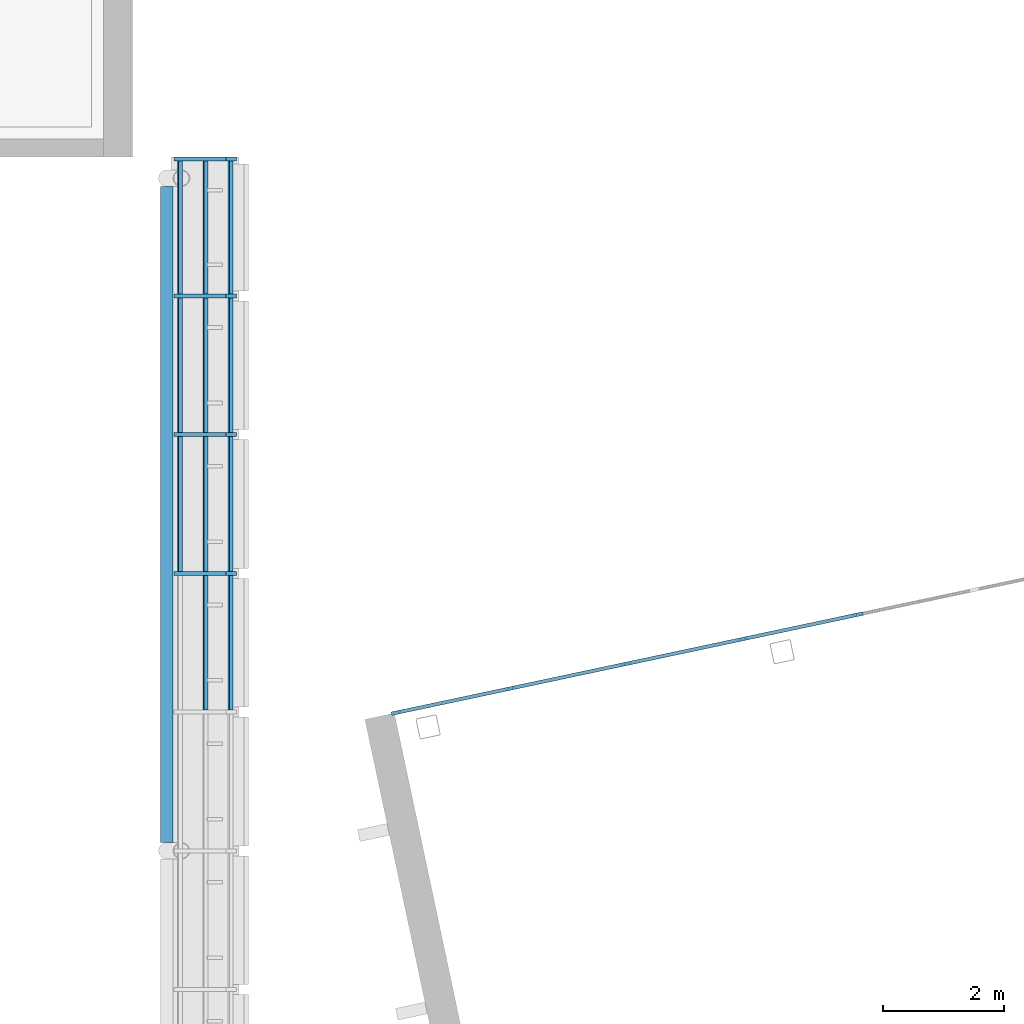
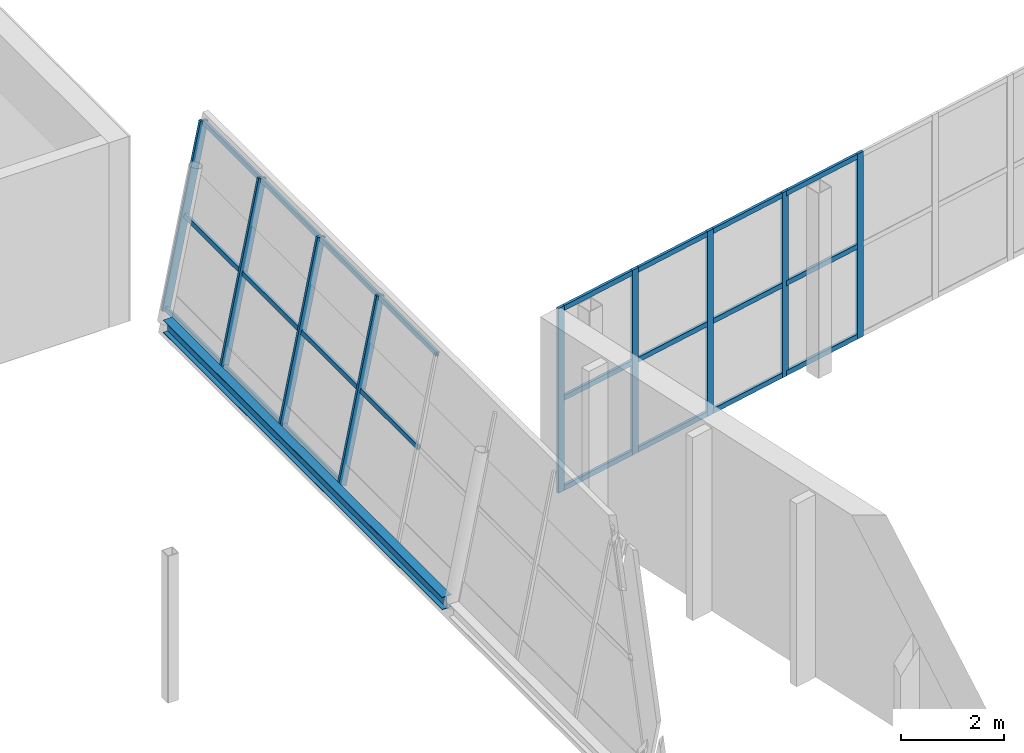
# One storey, part 32 of 95: 32 members, 1 beam, 2 elements without a shape of their own.
"""IFC4 building model written with IfcOpenShell, lengths in metres."""

from ifc_helpers import new_model, si_unit, direction, frame, origin, origin_2d, place, context, subcontext, project, spatial, rectangle, i_section, extrude, material, layer, layer_set, material_profile, profile_set, type_object, element, aggregate, save


model = new_model("IFC4")

# Units and contexts
model_context = context("Model", 3, precision=1e-05, world=origin(), true_north=direction((0.0, 1.0)))
body_context = subcontext(model_context, "Body", "Model", "MODEL_VIEW")
ifc_project = project(units=[si_unit("LENGTHUNIT", "METRE"), si_unit("AREAUNIT", "SQUARE_METRE"), si_unit("VOLUMEUNIT", "CUBIC_METRE"), si_unit("PLANEANGLEUNIT", "RADIAN"), si_unit("MASSUNIT", "GRAM", prefix="KILO")], contexts=[model_context])

# Site, building, storey
site_placement = place(None, origin())
site = spatial("IfcSite", under=ifc_project, at=site_placement, CompositionType="ELEMENT")
building_placement = place(site_placement, origin())
building = spatial("IfcBuilding", under=site, at=building_placement, Name="Windward Yard Aquatics Centre", CompositionType="ELEMENT")
storey_placement = place(building_placement, frame((0.0, 0.0, 9.39990234375)))
storey = spatial("IfcBuildingStorey", under=building, at=storey_placement, Name="L02", CompositionType="ELEMENT", Elevation=9.39990234375)

# Curtain wall, members
ifc_material_1 = material(Name="Aluminium and glass", Category="aluminium")
ifc_layer_1 = layer(ifc_material_1, 0.159912109375)
ifc_layer_set_1 = layer_set([ifc_layer_1], Name="D curtain wall 160")
curtain_wall_type_1 = type_object("IfcCurtainWallType", Name="D curtain wall 160", PredefinedType="NOTDEFINED", material=ifc_layer_set_1)
curtain_wall_1_placement = place(storey_placement, origin())
curtain_wall_1 = element("IfcCurtainWall", 1, at=curtain_wall_1_placement, inside=storey, type_object=curtain_wall_type_1, Name="North glazing L02", PredefinedType="NOTDEFINED")
ifc_material_2 = material(Name="Aluminium extrusion", Category="aluminium")
ifc_material_profile_1 = material_profile(ifc_material_2, rectangle(XDim=0.06005859375, YDim=0.159912109375, at=origin_2d()), Name="MULLION 60X160")
ifc_profile_set_1 = profile_set([ifc_material_profile_1], Name="Aluminium extrusion")
member_type_1 = type_object("IfcMemberType", Name="D curtain wall mullion 60X160", PredefinedType="MULLION", material=ifc_profile_set_1)
member_1_placement = place(storey_placement, frame((156.399169921875, 74.788330078125, 0.0), z_axis=(0.0, 0.0, 1.0), x_axis=(-0.207911718662, 0.978147594815, 0.0)))
member_1 = element("IfcMember", 2, at=member_1_placement, type_object=member_type_1, Name="DCW-L02 mullion 1", PredefinedType="MULLION", context=body_context, shape_type="SweptSolid", body=[
    extrude(rectangle(XDim=0.06005859375, YDim=0.159912109375, at=origin_2d()), origin(), (0.0, 0.0, 1.0), 4.400146484375),
])
member_2_placement = place(storey_placement, frame((158.292724609375, 75.19091796875, 0.0), z_axis=(0.0, 0.0, 1.0), x_axis=(-0.207911718662, 0.978147594815, 0.0)))
member_2 = element("IfcMember", 3, at=member_2_placement, type_object=member_type_1, Name="DCW-L02 mullion 2", PredefinedType="MULLION", context=body_context, shape_type="SweptSolid", body=[
    extrude(rectangle(XDim=0.06005859375, YDim=0.159912109375, at=origin_2d()), origin(), (0.0, 0.0, 1.0), 4.400146484375),
])
member_3_placement = place(storey_placement, frame((160.215576171875, 75.599609375, 0.0), z_axis=(0.0, 0.0, 1.0), x_axis=(-0.207911718662, 0.978147594815, 0.0)))
member_3 = element("IfcMember", 4, at=member_3_placement, type_object=member_type_1, Name="DCW-L02 mullion 3", PredefinedType="MULLION", context=body_context, shape_type="SweptSolid", body=[
    extrude(rectangle(XDim=0.06005859375, YDim=0.159912109375, at=origin_2d()), origin(), (0.0, 0.0, 1.0), 4.400146484375),
])
member_4_placement = place(storey_placement, frame((162.13818359375, 76.00830078125, 0.0), z_axis=(0.0, 0.0, 1.0), x_axis=(-0.207911718662, 0.978147594815, 0.0)))
member_4 = element("IfcMember", 5, at=member_4_placement, type_object=member_type_1, Name="DCW-L02 mullion 4", PredefinedType="MULLION", context=body_context, shape_type="SweptSolid", body=[
    extrude(rectangle(XDim=0.06005859375, YDim=0.159912109375, at=origin_2d()), origin(), (0.0, 0.0, 1.0), 4.400146484375),
])
member_5_placement = place(storey_placement, frame((164.06103515625, 76.4169921875, 0.0), z_axis=(0.0, 0.0, 1.0), x_axis=(-0.207911718662, 0.978147594815, 0.0)))
member_5 = element("IfcMember", 6, at=member_5_placement, type_object=member_type_1, Name="DCW-L02 mullion 5", PredefinedType="MULLION", context=body_context, shape_type="SweptSolid", body=[
    extrude(rectangle(XDim=0.06005859375, YDim=0.159912109375, at=origin_2d()), origin(), (0.0, 0.0, 1.0), 4.400146484375),
])
ifc_material_profile_2 = material_profile(ifc_material_2, rectangle(XDim=0.06005859375, YDim=0.1201171875, at=origin_2d()), Name="TRANSOM 60X120")
ifc_profile_set_2 = profile_set([ifc_material_profile_2], Name="Aluminium extrusion")
member_type_2 = type_object("IfcMemberType", Name="D curtain wall transom 60X120", PredefinedType="USERDEFINED", material=ifc_profile_set_2)
member_6_placement = place(storey_placement, frame((156.428466796875, 74.794677734375, 0.06005859375), z_axis=(0.97815719688, 0.207866539377, 0.0), x_axis=(-0.207866539377, 0.97815719688, 0.0)))
member_6 = element("IfcMember", 7, at=member_6_placement, type_object=member_type_2, Name="DCW-L02 transom 1.1", ObjectType="TRANSOM", PredefinedType="USERDEFINED", context=body_context, shape_type="SweptSolid", body=[
    extrude(rectangle(XDim=0.06005859375, YDim=0.1201171875, at=origin_2d()), origin(), (0.0, 0.0, 1.0), 1.875732421875),
])
member_7_placement = place(storey_placement, frame((156.428466796875, 74.794677734375, 2.2001953125), z_axis=(0.97815719688, 0.207866539377, 0.0), x_axis=(-0.207866539377, 0.97815719688, 0.0)))
member_7 = element("IfcMember", 8, at=member_7_placement, type_object=member_type_2, Name="DCW-L02 transom 1.2", ObjectType="TRANSOM", PredefinedType="USERDEFINED", context=body_context, shape_type="SweptSolid", body=[
    extrude(rectangle(XDim=0.06005859375, YDim=0.1201171875, at=origin_2d()), origin(), (0.0, 0.0, 1.0), 1.875732421875),
])
member_8_placement = place(storey_placement, frame((156.428466796875, 74.794677734375, 4.340087890625), z_axis=(0.97815719688, 0.207866539377, 0.0), x_axis=(-0.207866539377, 0.97815719688, 0.0)))
member_8 = element("IfcMember", 9, at=member_8_placement, type_object=member_type_2, Name="DCW-L02 transom 1.3", ObjectType="TRANSOM", PredefinedType="USERDEFINED", context=body_context, shape_type="SweptSolid", body=[
    extrude(rectangle(XDim=0.06005859375, YDim=0.1201171875, at=origin_2d()), origin(), (0.0, 0.0, 1.0), 1.875732421875),
])
member_9_placement = place(storey_placement, frame((158.322021484375, 75.197021484375, 0.06005859375), z_axis=(0.978144196583, 0.207927705443, 0.0), x_axis=(-0.207927705443, 0.978144196583, 0.0)))
member_9 = element("IfcMember", 10, at=member_9_placement, type_object=member_type_2, Name="DCW-L02 transom 2.1", ObjectType="TRANSOM", PredefinedType="USERDEFINED", context=body_context, shape_type="SweptSolid", body=[
    extrude(rectangle(XDim=0.06005859375, YDim=0.1201171875, at=origin_2d()), origin(), (0.0, 0.0, 1.0), 1.90576171875),
])
member_10_placement = place(storey_placement, frame((158.322021484375, 75.197021484375, 2.2001953125), z_axis=(0.978144196583, 0.207927705443, 0.0), x_axis=(-0.207927705443, 0.978144196583, 0.0)))
member_10 = element("IfcMember", 11, at=member_10_placement, type_object=member_type_2, Name="DCW-L02 transom 2.2", ObjectType="TRANSOM", PredefinedType="USERDEFINED", context=body_context, shape_type="SweptSolid", body=[
    extrude(rectangle(XDim=0.06005859375, YDim=0.1201171875, at=origin_2d()), origin(), (0.0, 0.0, 1.0), 1.90576171875),
])
member_11_placement = place(storey_placement, frame((158.322021484375, 75.197021484375, 4.340087890625), z_axis=(0.978144196583, 0.207927705443, 0.0), x_axis=(-0.207927705443, 0.978144196583, 0.0)))
member_11 = element("IfcMember", 12, at=member_11_placement, type_object=member_type_2, Name="DCW-L02 transom 2.3", ObjectType="TRANSOM", PredefinedType="USERDEFINED", context=body_context, shape_type="SweptSolid", body=[
    extrude(rectangle(XDim=0.06005859375, YDim=0.1201171875, at=origin_2d()), origin(), (0.0, 0.0, 1.0), 1.90576171875),
])
member_12_placement = place(storey_placement, frame((160.244873046875, 75.605712890625, 0.06005859375), z_axis=(0.978144196583, 0.207927705443, 0.0), x_axis=(-0.207927705443, 0.978144196583, 0.0)))
member_12 = element("IfcMember", 13, at=member_12_placement, type_object=member_type_2, Name="DCW-L02 transom 3.1", ObjectType="TRANSOM", PredefinedType="USERDEFINED", context=body_context, shape_type="SweptSolid", body=[
    extrude(rectangle(XDim=0.06005859375, YDim=0.1201171875, at=origin_2d()), origin(), (0.0, 0.0, 1.0), 1.90576171875),
])
member_13_placement = place(storey_placement, frame((160.244873046875, 75.605712890625, 2.2001953125), z_axis=(0.978144196583, 0.207927705443, 0.0), x_axis=(-0.207927705443, 0.978144196583, 0.0)))
member_13 = element("IfcMember", 14, at=member_13_placement, type_object=member_type_2, Name="DCW-L02 transom 3.2", ObjectType="TRANSOM", PredefinedType="USERDEFINED", context=body_context, shape_type="SweptSolid", body=[
    extrude(rectangle(XDim=0.06005859375, YDim=0.1201171875, at=origin_2d()), origin(), (0.0, 0.0, 1.0), 1.90576171875),
])
member_14_placement = place(storey_placement, frame((160.244873046875, 75.605712890625, 4.340087890625), z_axis=(0.978144196583, 0.207927705443, 0.0), x_axis=(-0.207927705443, 0.978144196583, 0.0)))
member_14 = element("IfcMember", 15, at=member_14_placement, type_object=member_type_2, Name="DCW-L02 transom 3.3", ObjectType="TRANSOM", PredefinedType="USERDEFINED", context=body_context, shape_type="SweptSolid", body=[
    extrude(rectangle(XDim=0.06005859375, YDim=0.1201171875, at=origin_2d()), origin(), (0.0, 0.0, 1.0), 1.90576171875),
])
member_15_placement = place(storey_placement, frame((162.167724609375, 76.014404296875, 0.06005859375), z_axis=(0.978144196583, 0.207927705443, 0.0), x_axis=(-0.207927705443, 0.978144196583, 0.0)))
member_15 = element("IfcMember", 16, at=member_15_placement, type_object=member_type_2, Name="DCW-L02 transom 4.1", ObjectType="TRANSOM", PredefinedType="USERDEFINED", context=body_context, shape_type="SweptSolid", body=[
    extrude(rectangle(XDim=0.06005859375, YDim=0.1201171875, at=origin_2d()), origin(), (0.0, 0.0, 1.0), 1.90576171875),
])
member_16_placement = place(storey_placement, frame((162.167724609375, 76.014404296875, 2.2001953125), z_axis=(0.978144196583, 0.207927705443, 0.0), x_axis=(-0.207927705443, 0.978144196583, 0.0)))
member_16 = element("IfcMember", 17, at=member_16_placement, type_object=member_type_2, Name="DCW-L02 transom 4.2", ObjectType="TRANSOM", PredefinedType="USERDEFINED", context=body_context, shape_type="SweptSolid", body=[
    extrude(rectangle(XDim=0.06005859375, YDim=0.1201171875, at=origin_2d()), origin(), (0.0, 0.0, 1.0), 1.90576171875),
])
member_17_placement = place(storey_placement, frame((162.167724609375, 76.014404296875, 4.340087890625), z_axis=(0.978144196583, 0.207927705443, 0.0), x_axis=(-0.207927705443, 0.978144196583, 0.0)))
member_17 = element("IfcMember", 18, at=member_17_placement, type_object=member_type_2, Name="DCW-L02 transom 4.3", ObjectType="TRANSOM", PredefinedType="USERDEFINED", context=body_context, shape_type="SweptSolid", body=[
    extrude(rectangle(XDim=0.06005859375, YDim=0.1201171875, at=origin_2d()), origin(), (0.0, 0.0, 1.0), 1.90576171875),
])
aggregate(curtain_wall_1, [member_1, member_2, member_3, member_4, member_5, member_6, member_7, member_8, member_9, member_10, member_11, member_12, member_13, member_14, member_15, member_16, member_17])

ifc_material_3 = material(Name="Glass and aluminium curtain wall", Category="aluminium")
ifc_layer_2 = layer(ifc_material_3, 0.179931640625)
ifc_layer_set_2 = layer_set([ifc_layer_2], Name="H curtain wall tier 1 double glazed 8+16+8")
curtain_wall_type_2 = type_object("IfcCurtainWallType", Name="H curtain wall tier 1 double glazed 8+16+8", PredefinedType="NOTDEFINED", material=ifc_layer_set_2)
curtain_wall_2_placement = place(storey_placement, origin())
curtain_wall_2 = element("IfcCurtainWall", 19, at=curtain_wall_2_placement, inside=storey, type_object=curtain_wall_type_2, Name="Tier 1 glazing E L02", PredefinedType="NOTDEFINED")
ifc_material_4 = material(Name="Aluminium 6063-T6 anodised", Category="aluminium")
ifc_material_profile_3 = material_profile(ifc_material_4, rectangle(XDim=0.06494140625, YDim=0.179931640625, at=origin_2d()), Name="H CW mullion 65x180")
ifc_profile_set_3 = profile_set([ifc_material_profile_3], Name="Aluminium 6063-T6 anodised")
member_type_3 = type_object("IfcMemberType", Name="H CW mullion 65x180", PredefinedType="MULLION", material=ifc_profile_set_3)
member_18_placement = place(storey_placement, frame((152.803466796875, 77.10009765625, 0.0), z_axis=(0.199322032497, 0.0, 0.979934042352), x_axis=(0.0, 1.0, 0.0)))
member_18 = element("IfcMember", 20, at=member_18_placement, type_object=member_type_3, Name="G1EA mullion 18", PredefinedType="MULLION", context=body_context, shape_type="SweptSolid", body=[
    extrude(rectangle(XDim=0.06494140625, YDim=0.179931640625, at=origin_2d()), origin(), (0.0, 0.0, 1.0), 4.31884765625),
])
member_19_placement = place(storey_placement, frame((152.803466796875, 79.39990234375, 0.0), z_axis=(0.199322032497, 0.0, 0.979934042352), x_axis=(0.0, 1.0, 0.0)))
member_19 = element("IfcMember", 21, at=member_19_placement, type_object=member_type_3, Name="G1EA mullion 19", PredefinedType="MULLION", context=body_context, shape_type="SweptSolid", body=[
    extrude(rectangle(XDim=0.06494140625, YDim=0.179931640625, at=origin_2d()), origin(), (0.0, 0.0, 1.0), 4.31884765625),
])
member_20_placement = place(storey_placement, frame((152.803466796875, 81.699951171875, 0.0), z_axis=(0.199322032497, 0.0, 0.979934042352), x_axis=(0.0, 1.0, 0.0)))
member_20 = element("IfcMember", 22, at=member_20_placement, type_object=member_type_3, Name="G1EA mullion 20", PredefinedType="MULLION", context=body_context, shape_type="SweptSolid", body=[
    extrude(rectangle(XDim=0.06494140625, YDim=0.179931640625, at=origin_2d()), origin(), (0.0, 0.0, 1.0), 4.31884765625),
])
member_21_placement = place(storey_placement, frame((152.803466796875, 83.967529296875, 0.0), z_axis=(0.199322032497, 0.0, 0.979934042352), x_axis=(0.0, 1.0, 0.0)))
member_21 = element("IfcMember", 23, at=member_21_placement, type_object=member_type_3, Name="G1EA mullion 21", PredefinedType="MULLION", context=body_context, shape_type="SweptSolid", body=[
    extrude(rectangle(XDim=0.06494140625, YDim=0.179931640625, at=origin_2d()), origin(), (0.0, 0.0, 1.0), 4.31884765625),
])
ifc_material_profile_4 = material_profile(ifc_material_4, rectangle(XDim=0.06494140625, YDim=0.10009765625, at=origin_2d()), Name="H CW transom 65x100")
ifc_profile_set_4 = profile_set([ifc_material_profile_4], Name="Aluminium 6063-T6 anodised")
member_type_4 = type_object("IfcMemberType", Name="H CW transom 65x100", PredefinedType="USERDEFINED", material=ifc_profile_set_4)
member_22_placement = place(storey_placement, frame((153.235595703125, 74.83251953125, 2.125), z_axis=(0.0, 1.0, 0.0), x_axis=(-0.9799247046, 0.0, 0.19936793452)))
member_22 = element("IfcMember", 24, at=member_22_placement, type_object=member_type_4, Name="G1EA transom 17.2", ObjectType="TRANSOM", PredefinedType="USERDEFINED", context=body_context, shape_type="SweptSolid", body=[
    extrude(rectangle(XDim=0.06494140625, YDim=0.10009765625, at=origin_2d()), origin(), (0.0, 0.0, 1.0), 2.23486328125),
])
member_23_placement = place(storey_placement, frame((153.65673828125, 74.83251953125, 4.194580078125), z_axis=(0.0, 1.0, 0.0), x_axis=(-0.9799247046, 0.0, 0.19936793452)))
member_23 = element("IfcMember", 25, at=member_23_placement, type_object=member_type_4, Name="G1EA transom 17.3", ObjectType="TRANSOM", PredefinedType="USERDEFINED", context=body_context, shape_type="SweptSolid", body=[
    extrude(rectangle(XDim=0.06494140625, YDim=0.10009765625, at=origin_2d()), origin(), (0.0, 0.0, 1.0), 2.23486328125),
])
member_24_placement = place(storey_placement, frame((152.813232421875, 77.132568359375, 0.049072265625), z_axis=(0.0, 1.0, 0.0), x_axis=(-0.9799247046, 0.0, 0.19936793452)))
member_24 = element("IfcMember", 26, at=member_24_placement, type_object=member_type_4, Name="G1EA transom 18.1", ObjectType="TRANSOM", PredefinedType="USERDEFINED", context=body_context, shape_type="SweptSolid", body=[
    extrude(rectangle(XDim=0.06494140625, YDim=0.10009765625, at=origin_2d()), origin(), (0.0, 0.0, 1.0), 2.23486328125),
])
member_25_placement = place(storey_placement, frame((153.235595703125, 77.132568359375, 2.125), z_axis=(0.0, 1.0, 0.0), x_axis=(-0.9799247046, 0.0, 0.19936793452)))
member_25 = element("IfcMember", 27, at=member_25_placement, type_object=member_type_4, Name="G1EA transom 18.2", ObjectType="TRANSOM", PredefinedType="USERDEFINED", context=body_context, shape_type="SweptSolid", body=[
    extrude(rectangle(XDim=0.06494140625, YDim=0.10009765625, at=origin_2d()), origin(), (0.0, 0.0, 1.0), 2.23486328125),
])
member_26_placement = place(storey_placement, frame((153.65673828125, 77.132568359375, 4.194580078125), z_axis=(0.0, 1.0, 0.0), x_axis=(-0.9799247046, 0.0, 0.19936793452)))
member_26 = element("IfcMember", 28, at=member_26_placement, type_object=member_type_4, Name="G1EA transom 18.3", ObjectType="TRANSOM", PredefinedType="USERDEFINED", context=body_context, shape_type="SweptSolid", body=[
    extrude(rectangle(XDim=0.06494140625, YDim=0.10009765625, at=origin_2d()), origin(), (0.0, 0.0, 1.0), 2.23486328125),
])
member_27_placement = place(storey_placement, frame((152.813232421875, 79.4326171875, 0.049072265625), z_axis=(0.0, 1.0, 0.0), x_axis=(-0.9799247046, 0.0, 0.19936793452)))
member_27 = element("IfcMember", 29, at=member_27_placement, type_object=member_type_4, Name="G1EA transom 19.1", ObjectType="TRANSOM", PredefinedType="USERDEFINED", context=body_context, shape_type="SweptSolid", body=[
    extrude(rectangle(XDim=0.06494140625, YDim=0.10009765625, at=origin_2d()), origin(), (0.0, 0.0, 1.0), 2.23486328125),
])
member_28_placement = place(storey_placement, frame((153.235595703125, 79.4326171875, 2.125), z_axis=(0.0, 1.0, 0.0), x_axis=(-0.9799247046, 0.0, 0.19936793452)))
member_28 = element("IfcMember", 30, at=member_28_placement, type_object=member_type_4, Name="G1EA transom 19.2", ObjectType="TRANSOM", PredefinedType="USERDEFINED", context=body_context, shape_type="SweptSolid", body=[
    extrude(rectangle(XDim=0.06494140625, YDim=0.10009765625, at=origin_2d()), origin(), (0.0, 0.0, 1.0), 2.23486328125),
])
member_29_placement = place(storey_placement, frame((153.65673828125, 79.4326171875, 4.194580078125), z_axis=(0.0, 1.0, 0.0), x_axis=(-0.9799247046, 0.0, 0.19936793452)))
member_29 = element("IfcMember", 31, at=member_29_placement, type_object=member_type_4, Name="G1EA transom 19.3", ObjectType="TRANSOM", PredefinedType="USERDEFINED", context=body_context, shape_type="SweptSolid", body=[
    extrude(rectangle(XDim=0.06494140625, YDim=0.10009765625, at=origin_2d()), origin(), (0.0, 0.0, 1.0), 2.23486328125),
])
member_30_placement = place(storey_placement, frame((152.813232421875, 81.732421875, 0.049072265625), z_axis=(0.0, 1.0, 0.0), x_axis=(-0.9799247046, 0.0, 0.19936793452)))
member_30 = element("IfcMember", 32, at=member_30_placement, type_object=member_type_4, Name="G1EA transom 20.1", ObjectType="TRANSOM", PredefinedType="USERDEFINED", context=body_context, shape_type="SweptSolid", body=[
    extrude(rectangle(XDim=0.06494140625, YDim=0.10009765625, at=origin_2d()), origin(), (0.0, 0.0, 1.0), 2.20263671875),
])
member_31_placement = place(storey_placement, frame((153.235595703125, 81.732421875, 2.125), z_axis=(0.0, 1.0, 0.0), x_axis=(-0.9799247046, 0.0, 0.19936793452)))
member_31 = element("IfcMember", 33, at=member_31_placement, type_object=member_type_4, Name="G1EA transom 20.2", ObjectType="TRANSOM", PredefinedType="USERDEFINED", context=body_context, shape_type="SweptSolid", body=[
    extrude(rectangle(XDim=0.06494140625, YDim=0.10009765625, at=origin_2d()), origin(), (0.0, 0.0, 1.0), 2.20263671875),
])
member_32_placement = place(storey_placement, frame((153.65673828125, 81.732421875, 4.194580078125), z_axis=(0.0, 1.0, 0.0), x_axis=(-0.9799247046, 0.0, 0.19936793452)))
member_32 = element("IfcMember", 34, at=member_32_placement, type_object=member_type_4, Name="G1EA transom 20.3", ObjectType="TRANSOM", PredefinedType="USERDEFINED", context=body_context, shape_type="SweptSolid", body=[
    extrude(rectangle(XDim=0.06494140625, YDim=0.10009765625, at=origin_2d()), origin(), (0.0, 0.0, 1.0), 2.20263671875),
])
aggregate(curtain_wall_2, [member_18, member_19, member_20, member_21, member_22, member_23, member_24, member_25, member_26, member_27, member_28, member_29, member_30, member_31, member_32])

# Beam
ifc_material_5 = material(Name="Steel ASTM A992 Gr 50", Category="steel")
ifc_material_profile_5 = material_profile(ifc_material_5, i_section(OverallWidth=0.202880859375, OverallDepth=0.302001953125, WebThickness=0.007568359375, FlangeThickness=0.01318359375, at=origin_2d()), Name="W310X60")
ifc_profile_set_5 = profile_set([ifc_material_profile_5], Name="Steel ASTM A992 Gr 50")
beam_type = type_object("IfcBeamType", Name="H tier ring beam W310X60", PredefinedType="BEAM", material=ifc_profile_set_5)
beam_placement = place(storey_placement, frame((152.59521484375, 72.636474609375, 0.0), z_axis=(0.0, 1.0, 0.0), x_axis=(-1.0, 0.0, 0.0)))
element("IfcBeam", 35, at=beam_placement, inside=storey, type_object=beam_type, Name="H.RG.E4.1", PredefinedType="BEAM", context=body_context, shape_type="SweptSolid", body=[
    extrude(i_section(OverallWidth=0.202880859375, OverallDepth=0.302001953125, WebThickness=0.007568359375, FlangeThickness=0.01318359375, at=origin_2d()), origin(), (0.0, 0.0, 1.0), 10.876953125),
])

save(model, "model.ifc")
